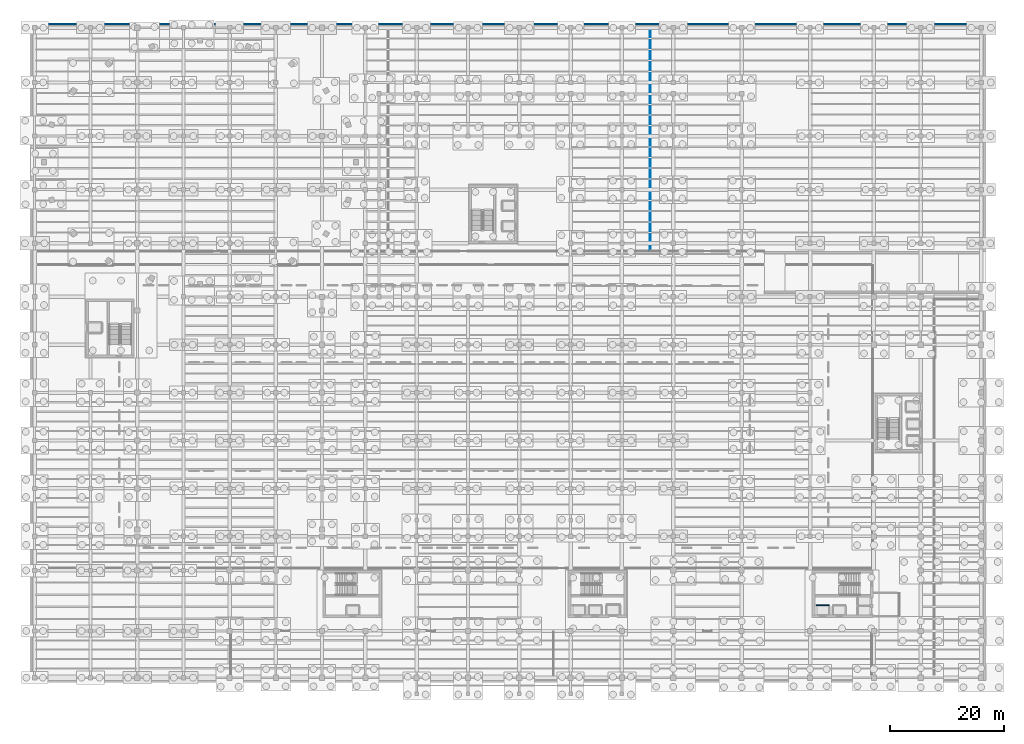
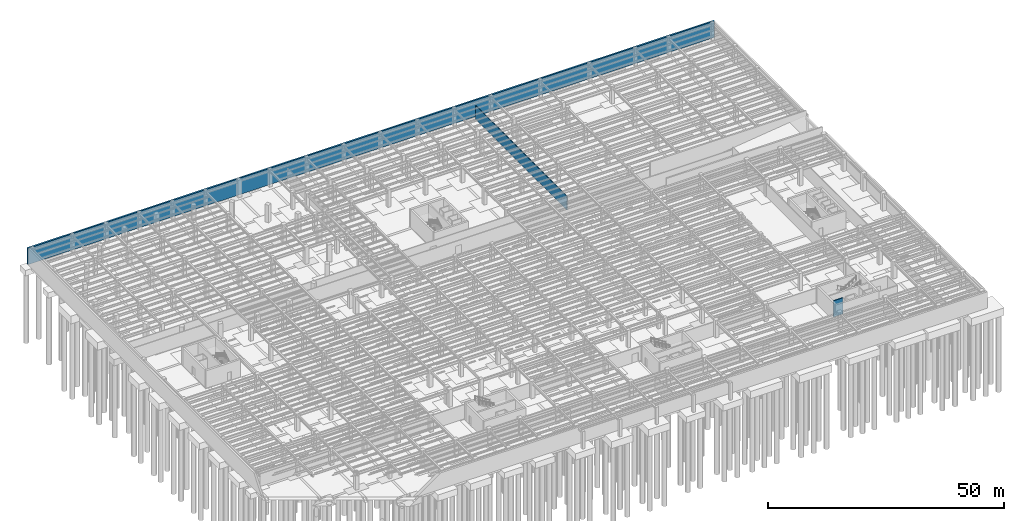
# One storey, part 39 of 49: 3 walls.
"""IFC4 building model written with IfcOpenShell, lengths in metres."""

from ifc_helpers import new_model, si_unit, direction, frame, frame_2d, origin, place, context, subcontext, project, spatial, rectangle, extrude, material, layer, layer_set, type_object, element, save


model = new_model("IFC4")

# Units and contexts
model_context = context("Model", 3, precision=1e-05, world=origin(), true_north=direction((0.0, 1.0)))
body_context = subcontext(model_context, "Body", "Model", "MODEL_VIEW")
ifc_project = project(units=[si_unit("LENGTHUNIT", "METRE"), si_unit("AREAUNIT", "SQUARE_METRE"), si_unit("VOLUMEUNIT", "CUBIC_METRE"), si_unit("PLANEANGLEUNIT", "RADIAN"), si_unit("MASSUNIT", "GRAM", prefix="KILO")], contexts=[model_context])

# Site, building, storey
site_placement = place(None, origin())
site = spatial("IfcSite", under=ifc_project, at=site_placement, CompositionType="ELEMENT")
building_placement = place(site_placement, origin())
building = spatial("IfcBuilding", under=site, at=building_placement, Name="Sollismere Congress Hotel", CompositionType="ELEMENT")
storey_placement = place(building_placement, frame((0.0, 0.0, -4.5)))
storey = spatial("IfcBuildingStorey", under=building, at=storey_placement, Name="B1", CompositionType="ELEMENT", Elevation=-4.5)

# Walls
ifc_material_1 = material(Name="Moisture-Resistant Shaft Gypsum Assembly")
ifc_layer_1 = layer(ifc_material_1, 0.199951171875, Name="Moisture-Resistant Shaft Gypsum Assembly")
ifc_layer_set_1 = layer_set([ifc_layer_1], Name="Moisture-Resistant Shaft Gypsum Assembly")
wall_type_1 = type_object("IfcWallType", Name="WL-PLM200", PredefinedType="PLUMBINGWALL", material=ifc_layer_set_1)
wall_1_placement = place(storey_placement, frame((137.054931640625, 12.68994140625, 0.0), z_axis=(0.0, 0.0, 1.0), x_axis=(1.0, 0.0, 0.0)))
element("IfcWall", 1, at=wall_1_placement, inside=storey, type_object=wall_type_1, Name="Interior wall IW-B1-0006", PredefinedType="PLUMBINGWALL", context=body_context, shape_type="SweptSolid", body=[
    extrude(rectangle(XDim=2.2900390625, YDim=0.199951171875, at=frame_2d((1.14501953125, 0.0))), origin(), (0.0, 0.0, 1.0), 4.175048828125),
])
ifc_material_2 = material(Name="Fire-Rated Acoustic Gypsum Partition")
ifc_layer_2 = layer(ifc_material_2, 0.1650390625, Name="Fire-Rated Acoustic Gypsum Partition")
ifc_layer_set_2 = layer_set([ifc_layer_2], Name="Fire-Rated Acoustic Gypsum Partition")
wall_type_2 = type_object("IfcWallType", Name="WL-PRT165R", PredefinedType="PARTITIONING", material=ifc_layer_set_2)
wall_2_placement = place(storey_placement, frame((108.0, 74.89453125, 0.0), z_axis=(0.0, 0.0, 1.0), x_axis=(0.0, 1.0, 0.0)))
element("IfcWall", 2, at=wall_2_placement, inside=storey, type_object=wall_type_2, Name="Interior wall IW-B1-0767", PredefinedType="PARTITIONING", context=body_context, shape_type="SweptSolid", body=[
    extrude(rectangle(XDim=38.60546875, YDim=0.1650390625, at=frame_2d((19.302734375, 0.0))), origin(), (0.0, 0.0, 1.0), 3.587890625),
])
ifc_material_3 = material(Name="Concrete C40/50", Category="concrete")
ifc_layer_3 = layer(ifc_material_3, 0.39990234375, Name="Concrete C40/50")
ifc_layer_set_3 = layer_set([ifc_layer_3], Name="Concrete C40/50")
wall_type_3 = type_object("IfcWallType", Name="WL-RET400", PredefinedType="USERDEFINED", material=ifc_layer_set_3)
wall_3_placement = place(storey_placement, frame((166.85009765625, 114.64990234375, 0.0), z_axis=(0.0, 0.0, 1.0), x_axis=(-1.0, 0.0, 0.0)))
element("IfcWall", 3, at=wall_3_placement, inside=storey, type_object=wall_type_3, Name="Exterior wall EW-B1-002", ObjectType="RETAINING WALL", PredefinedType="USERDEFINED", context=body_context, shape_type="SweptSolid", body=[
    extrude(rectangle(XDim=167.7001953125, YDim=0.39990234375, at=frame_2d((83.85009765625, 0.0))), origin(), (0.0, 0.0, 1.0), 4.235107421875),
])

save(model, "model.ifc")
